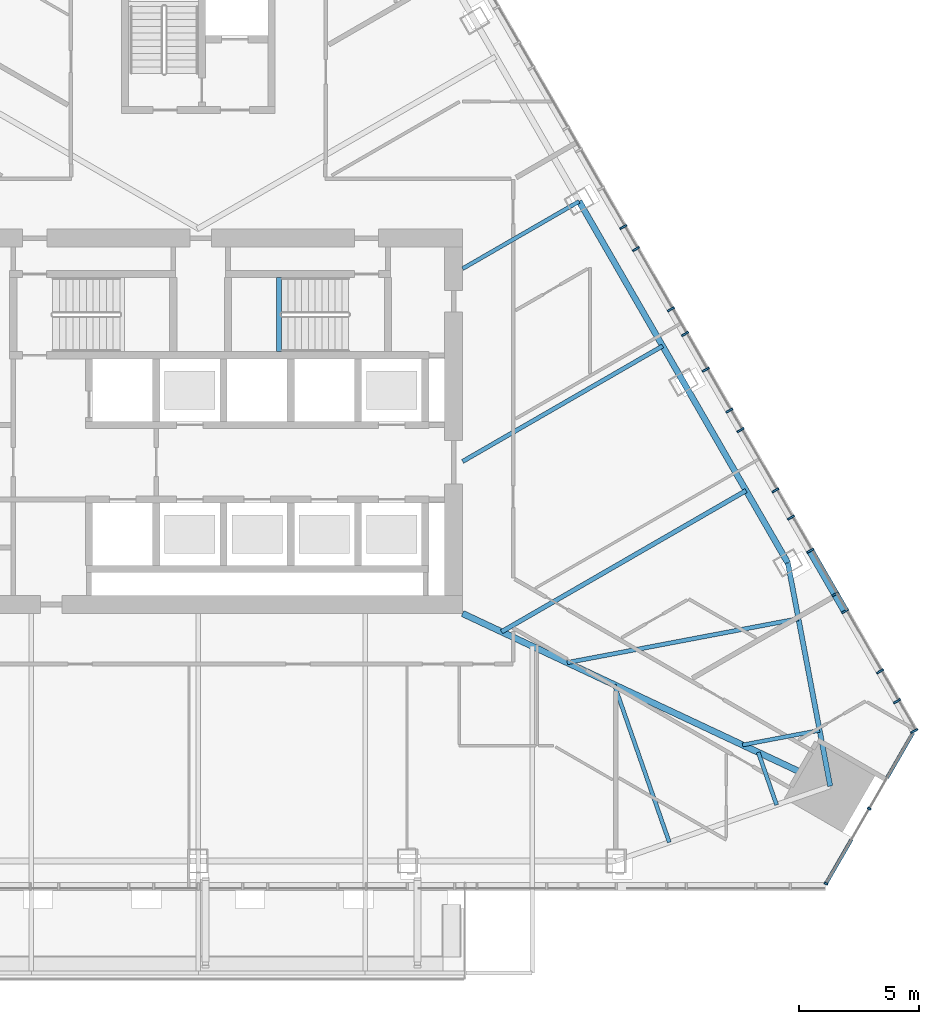
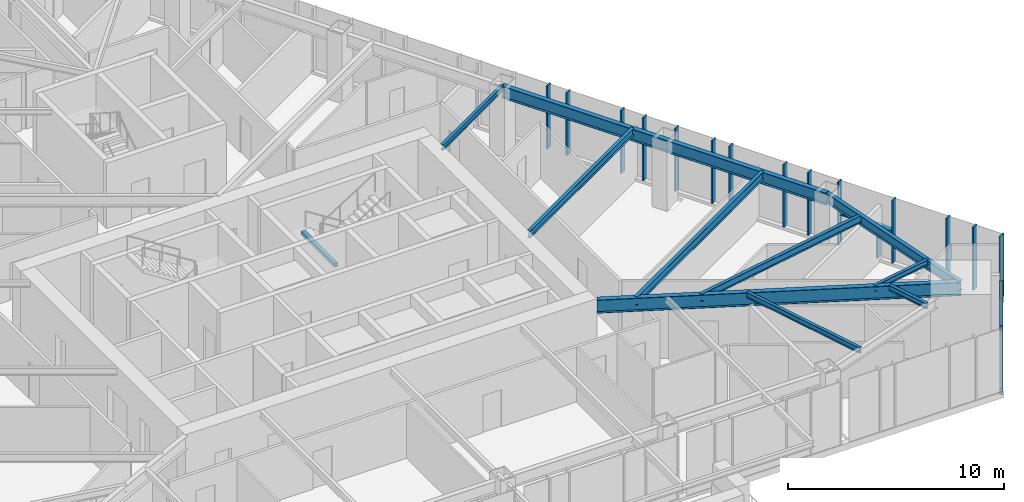
# One storey, part 5 of 23: 20 members, 11 beams, 2 elements without a shape of their own.
"""IFC4 building model written with IfcOpenShell, lengths in metres."""

from ifc_helpers import new_model, si_unit, direction, frame, origin, origin_2d, place, context, subcontext, project, spatial, rectangle, i_section, extrude, material, layer, layer_set, material_profile, profile_set, type_object, element, aggregate, save


model = new_model("IFC4")

# Units and contexts
model_context = context("Model", 3, precision=1e-05, world=origin(), true_north=direction((0.0, 1.0)))
body_context = subcontext(model_context, "Body", "Model", "MODEL_VIEW")
ifc_project = project(units=[si_unit("LENGTHUNIT", "METRE"), si_unit("AREAUNIT", "SQUARE_METRE"), si_unit("VOLUMEUNIT", "CUBIC_METRE"), si_unit("PLANEANGLEUNIT", "RADIAN"), si_unit("MASSUNIT", "GRAM", prefix="KILO")], contexts=[model_context])

# Site, building, storey
site_placement = place(None, origin())
site = spatial("IfcSite", under=ifc_project, at=site_placement, CompositionType="ELEMENT")
building_placement = place(site_placement, origin())
building = spatial("IfcBuilding", under=site, at=building_placement, Name="Firuza Gate Tower and Library", CompositionType="ELEMENT")
storey_placement = place(building_placement, frame((0.0, 0.0, 190.89990234375)))
storey = spatial("IfcBuildingStorey", under=building, at=storey_placement, Name="L44", CompositionType="ELEMENT", Elevation=190.89990234375)

# Curtain wall, members
ifc_material_1 = material(Name="Aluminium 6063-T6", Category="aluminium")
ifc_layer_1 = layer(ifc_material_1, 0.14990234375)
ifc_layer_set_1 = layer_set([ifc_layer_1], Name="Corner curtain wall, chamfers")
curtain_wall_type_1 = type_object("IfcCurtainWallType", Name="Corner curtain wall, chamfers", PredefinedType="NOTDEFINED", material=ifc_layer_set_1)
placement = place(storey_placement, origin())
curtain_wall_1 = element("IfcCurtainWall", 1, at=placement, inside=storey, type_object=curtain_wall_type_1, Name="CW4 L44 SE corner", PredefinedType="NOTDEFINED")
ifc_material_2 = material(Name="Aluminium 6063-T6", Category="aluminium")
ifc_material_profile_1 = material_profile(ifc_material_2, rectangle(XDim=0.14990234375, YDim=0.080078125, at=origin_2d()))
ifc_profile_set_1 = profile_set([ifc_material_profile_1], Name="Aluminium 6063-T6")
member_type_1 = type_object("IfcMemberType", Name="Curtain wall mullion 80x150", PredefinedType="MULLION", material=ifc_profile_set_1)
member_1_placement = place(storey_placement, frame((101.12060546875, 55.758544921875, 0.150146484375), z_axis=(0.0, 0.0, 1.0), x_axis=(-0.866025403784, 0.5, 0.0)))
member_1 = element("IfcMember", 2, at=member_1_placement, type_object=member_type_1, Name="Mullion", PredefinedType="MULLION", context=body_context, shape_type="SweptSolid", body=[
    extrude(rectangle(XDim=0.14990234375, YDim=0.080078125, at=origin_2d()), origin(), (0.0, 0.0, 1.0), 3.550048828125),
])
member_2_placement = place(storey_placement, frame((102.92236328125, 58.879150390625, 0.150146484375), z_axis=(0.0, 0.0, 1.0), x_axis=(-0.866025403784, 0.5, 0.0)))
member_2 = element("IfcMember", 3, at=member_2_placement, type_object=member_type_1, Name="Mullion", PredefinedType="MULLION", context=body_context, shape_type="SweptSolid", body=[
    extrude(rectangle(XDim=0.14990234375, YDim=0.080078125, at=origin_2d()), origin(), (0.0, 0.0, 1.0), 3.550048828125),
])

ifc_material_3 = material(Name="Aluminium 6063-T6", Category="aluminium")
ifc_layer_2 = layer(ifc_material_3, 0.14990234375)
ifc_layer_set_2 = layer_set([ifc_layer_2], Name="Unitised curtain wall, hotel")
curtain_wall_type_2 = type_object("IfcCurtainWallType", Name="Unitised curtain wall, hotel", PredefinedType="NOTDEFINED", material=ifc_layer_set_2)
curtain_wall_2 = element("IfcCurtainWall", 4, at=placement, inside=storey, type_object=curtain_wall_type_2, Name="CW2 L44 E face", PredefinedType="NOTDEFINED")
ifc_material_4 = material(Name="Aluminium 6063-T6", Category="aluminium")
ifc_material_profile_2 = material_profile(ifc_material_4, rectangle(XDim=0.320068359375, YDim=0.080078125, at=origin_2d()))
ifc_profile_set_2 = profile_set([ifc_material_profile_2], Name="Aluminium 6063-T6")
member_type_2 = type_object("IfcMemberType", Name="Curtain wall mullion 80x320", PredefinedType="MULLION", material=ifc_profile_set_2)
member_3_placement = place(storey_placement, frame((104.797607421875, 62.111328125, 0.150146484375), z_axis=(0.0, 0.0, 1.0), x_axis=(-0.866025403784, -0.5, 0.0)))
member_3 = element("IfcMember", 5, at=member_3_placement, type_object=member_type_2, Name="Mullion", PredefinedType="MULLION", context=body_context, shape_type="SweptSolid", body=[
    extrude(rectangle(XDim=0.320068359375, YDim=0.080078125, at=origin_2d()), origin(), (0.0, 0.0, 1.0), 3.550048828125),
])
member_4_placement = place(storey_placement, frame((103.367431640625, 64.58837890625, 0.150146484375), z_axis=(0.0, 0.0, 1.0), x_axis=(-0.866025403784, -0.5, 0.0)))
member_4 = element("IfcMember", 6, at=member_4_placement, type_object=member_type_2, Name="Mullion", PredefinedType="MULLION", context=body_context, shape_type="SweptSolid", body=[
    extrude(rectangle(XDim=0.320068359375, YDim=0.080078125, at=origin_2d()), origin(), (0.0, 0.0, 1.0), 3.550048828125),
])
member_5_placement = place(storey_placement, frame((101.91748046875, 67.099853515625, 0.150146484375), z_axis=(0.0, 0.0, 1.0), x_axis=(-0.866025403784, -0.5, 0.0)))
member_5 = element("IfcMember", 7, at=member_5_placement, type_object=member_type_2, Name="Mullion", PredefinedType="MULLION", context=body_context, shape_type="SweptSolid", body=[
    extrude(rectangle(XDim=0.320068359375, YDim=0.080078125, at=origin_2d()), origin(), (0.0, 0.0, 1.0), 3.550048828125),
])
member_6_placement = place(storey_placement, frame((100.467529296875, 69.611328125, 0.150146484375), z_axis=(0.0, 0.0, 1.0), x_axis=(-0.866025403784, -0.5, 0.0)))
member_6 = element("IfcMember", 8, at=member_6_placement, type_object=member_type_2, Name="Mullion", PredefinedType="MULLION", context=body_context, shape_type="SweptSolid", body=[
    extrude(rectangle(XDim=0.320068359375, YDim=0.080078125, at=origin_2d()), origin(), (0.0, 0.0, 1.0), 3.550048828125),
])
member_7_placement = place(storey_placement, frame((99.017333984375, 72.122802734375, 0.150146484375), z_axis=(0.0, 0.0, 1.0), x_axis=(-0.866025403784, -0.5, 0.0)))
member_7 = element("IfcMember", 9, at=member_7_placement, type_object=member_type_2, Name="Mullion", PredefinedType="MULLION", context=body_context, shape_type="SweptSolid", body=[
    extrude(rectangle(XDim=0.320068359375, YDim=0.080078125, at=origin_2d()), origin(), (0.0, 0.0, 1.0), 3.550048828125),
])
member_8_placement = place(storey_placement, frame((97.5673828125, 74.634521484375, 0.150146484375), z_axis=(0.0, 0.0, 1.0), x_axis=(-0.866025403784, -0.5, 0.0)))
member_8 = element("IfcMember", 10, at=member_8_placement, type_object=member_type_2, Name="Mullion", PredefinedType="MULLION", context=body_context, shape_type="SweptSolid", body=[
    extrude(rectangle(XDim=0.320068359375, YDim=0.080078125, at=origin_2d()), origin(), (0.0, 0.0, 1.0), 3.550048828125),
])
member_9_placement = place(storey_placement, frame((96.117431640625, 77.14599609375, 0.150146484375), z_axis=(0.0, 0.0, 1.0), x_axis=(-0.866025403784, -0.5, 0.0)))
member_9 = element("IfcMember", 11, at=member_9_placement, type_object=member_type_2, Name="Mullion", PredefinedType="MULLION", context=body_context, shape_type="SweptSolid", body=[
    extrude(rectangle(XDim=0.320068359375, YDim=0.080078125, at=origin_2d()), origin(), (0.0, 0.0, 1.0), 3.550048828125),
])
member_10_placement = place(storey_placement, frame((94.667236328125, 79.657470703125, 0.150146484375), z_axis=(0.0, 0.0, 1.0), x_axis=(-0.866025403784, -0.5, 0.0)))
member_10 = element("IfcMember", 12, at=member_10_placement, type_object=member_type_2, Name="Mullion", PredefinedType="MULLION", context=body_context, shape_type="SweptSolid", body=[
    extrude(rectangle(XDim=0.320068359375, YDim=0.080078125, at=origin_2d()), origin(), (0.0, 0.0, 1.0), 3.550048828125),
])
member_11_placement = place(storey_placement, frame((93.21728515625, 82.1689453125, 0.150146484375), z_axis=(0.0, 0.0, 1.0), x_axis=(-0.866025403784, -0.5, 0.0)))
member_11 = element("IfcMember", 13, at=member_11_placement, type_object=member_type_2, Name="Mullion", PredefinedType="MULLION", context=body_context, shape_type="SweptSolid", body=[
    extrude(rectangle(XDim=0.320068359375, YDim=0.080078125, at=origin_2d()), origin(), (0.0, 0.0, 1.0), 3.550048828125),
])
member_12_placement = place(storey_placement, frame((104.0810546875, 63.352294921875, 0.150146484375), z_axis=(0.0, 0.0, 1.0), x_axis=(-0.866025403784, -0.5, 0.0)))
member_12 = element("IfcMember", 14, at=member_12_placement, type_object=member_type_2, Name="Mullion", PredefinedType="MULLION", context=body_context, shape_type="SweptSolid", body=[
    extrude(rectangle(XDim=0.320068359375, YDim=0.080078125, at=origin_2d()), origin(), (0.0, 0.0, 1.0), 3.550048828125),
])
member_13_placement = place(storey_placement, frame((101.512939453125, 67.800537109375, 0.150146484375), z_axis=(0.0, 0.0, 1.0), x_axis=(-0.866025403784, -0.5, 0.0)))
member_13 = element("IfcMember", 15, at=member_13_placement, type_object=member_type_2, Name="Mullion", PredefinedType="MULLION", context=body_context, shape_type="SweptSolid", body=[
    extrude(rectangle(XDim=0.320068359375, YDim=0.080078125, at=origin_2d()), origin(), (0.0, 0.0, 1.0), 1.73486328125),
])
member_14_placement = place(storey_placement, frame((99.669189453125, 70.993896484375, 0.150146484375), z_axis=(0.0, 0.0, 1.0), x_axis=(-0.866025403784, -0.5, 0.0)))
member_14 = element("IfcMember", 16, at=member_14_placement, type_object=member_type_2, Name="Mullion", PredefinedType="MULLION", context=body_context, shape_type="SweptSolid", body=[
    extrude(rectangle(XDim=0.320068359375, YDim=0.080078125, at=origin_2d()), origin(), (0.0, 0.0, 1.0), 3.550048828125),
])
member_15_placement = place(storey_placement, frame((97.10107421875, 75.442138671875, 0.150146484375), z_axis=(0.0, 0.0, 1.0), x_axis=(-0.866025403784, -0.5, 0.0)))
member_15 = element("IfcMember", 17, at=member_15_placement, type_object=member_type_2, Name="Mullion", PredefinedType="MULLION", context=body_context, shape_type="SweptSolid", body=[
    extrude(rectangle(XDim=0.320068359375, YDim=0.080078125, at=origin_2d()), origin(), (0.0, 0.0, 1.0), 3.550048828125),
])
member_16_placement = place(storey_placement, frame((95.25732421875, 78.635498046875, 0.150146484375), z_axis=(0.0, 0.0, 1.0), x_axis=(-0.866025403784, -0.5, 0.0)))
member_16 = element("IfcMember", 18, at=member_16_placement, type_object=member_type_2, Name="Mullion", PredefinedType="MULLION", context=body_context, shape_type="SweptSolid", body=[
    extrude(rectangle(XDim=0.320068359375, YDim=0.080078125, at=origin_2d()), origin(), (0.0, 0.0, 1.0), 3.550048828125),
])
member_17_placement = place(storey_placement, frame((92.689208984375, 83.083984375, 0.150146484375), z_axis=(0.0, 0.0, 1.0), x_axis=(-0.866025403784, -0.5, 0.0)))
member_17 = element("IfcMember", 19, at=member_17_placement, type_object=member_type_2, Name="Mullion", PredefinedType="MULLION", context=body_context, shape_type="SweptSolid", body=[
    extrude(rectangle(XDim=0.320068359375, YDim=0.080078125, at=origin_2d()), origin(), (0.0, 0.0, 1.0), 3.550048828125),
])

# Member
ifc_material_5 = material(Name="Aluminium 6063-T6", Category="aluminium")
ifc_material_profile_3 = material_profile(ifc_material_5, rectangle(XDim=0.14990234375, YDim=0.35009765625, at=origin_2d()))
ifc_profile_set_3 = profile_set([ifc_material_profile_3], Name="Aluminium 6063-T6")
member_type_3 = type_object("IfcMemberType", Name="Curtain wall transom 350x150", PredefinedType="USERDEFINED", material=ifc_profile_set_3)
member_18_placement = place(storey_placement, frame((101.1005859375, 55.723876953125, -0.02490234375), z_axis=(0.500035042182, 0.866005171226, 0.0), x_axis=(-0.866005171226, 0.500035042182, 0.0)))
member_18 = element("IfcMember", 20, at=member_18_placement, type_object=member_type_3, Name="Transom", ObjectType="TRANSOM", PredefinedType="USERDEFINED", context=body_context, shape_type="SweptSolid", body=[
    extrude(rectangle(XDim=0.14990234375, YDim=0.35009765625, at=origin_2d()), origin(), (0.0, 0.0, 1.0), 2.163330078125),
])

member_19_placement = place(storey_placement, frame((103.662353515625, 60.160888671875, -0.02490234375), z_axis=(0.499999270699, 0.866025824846, 0.0), x_axis=(-0.866025824846, 0.499999270699, 0.0)))
member_19 = element("IfcMember", 21, at=member_19_placement, type_object=member_type_3, Name="Transom", ObjectType="TRANSOM", PredefinedType="USERDEFINED", context=body_context, shape_type="SweptSolid", body=[
    extrude(rectangle(XDim=0.14990234375, YDim=0.35009765625, at=origin_2d()), origin(), (0.0, 0.0, 1.0), 2.1630859375),
])

aggregate(curtain_wall_1, [member_1, member_2, member_18, member_19])

ifc_material_6 = material(Name="Aluminium 6063-T6", Category="aluminium")
ifc_material_profile_4 = material_profile(ifc_material_6, rectangle(XDim=0.320068359375, YDim=0.080078125, at=origin_2d()))
ifc_profile_set_4 = profile_set([ifc_material_profile_4], Name="Aluminium 6063-T6")
member_type_4 = type_object("IfcMemberType", Name="Curtain wall transom 80x320", PredefinedType="USERDEFINED", material=ifc_profile_set_4)
member_20_placement = place(storey_placement, frame((101.8974609375, 67.134521484375, 1.925048828125), z_axis=(-0.499984757355, 0.866034203951, 0.0), x_axis=(-0.866034203951, -0.499984757355, 0.0)))
member_20 = element("IfcMember", 22, at=member_20_placement, type_object=member_type_4, Name="Transom", ObjectType="TRANSOM", PredefinedType="USERDEFINED", context=body_context, shape_type="SweptSolid", body=[
    extrude(rectangle(XDim=0.320068359375, YDim=0.080078125, at=origin_2d()), origin(), (0.0, 0.0, 1.0), 2.81982421875),
])

aggregate(curtain_wall_2, [member_3, member_4, member_5, member_6, member_7, member_8, member_9, member_10, member_11, member_12, member_13, member_20, member_14, member_15, member_16, member_17])

# Beams
ifc_material_7 = material(Name="Concrete C35/45", Category="concrete")
ifc_material_profile_5 = material_profile(ifc_material_7, rectangle(XDim=0.199951171875, YDim=0.199951171875, at=origin_2d()))
ifc_profile_set_5 = profile_set([ifc_material_profile_5], Name="Concrete C35/45")
beam_type_1 = type_object("IfcBeamType", Name="Stair landing bearer 200x200", PredefinedType="BEAM", material=ifc_profile_set_5)
beam_1_placement = place(storey_placement, frame((78.360107421875, 80.97998046875, 1.650146484375), z_axis=(0.0, -1.0, 0.0), x_axis=(1.0, 0.0, 0.0)))
element("IfcBeam", 23, at=beam_1_placement, inside=storey, type_object=beam_type_1, Name="Landing bearer L44 stair 2", PredefinedType="BEAM", context=body_context, shape_type="SweptSolid", body=[
    extrude(rectangle(XDim=0.199951171875, YDim=0.199951171875, at=origin_2d()), origin(), (0.0, 0.0, 1.0), 3.080078125),
])
ifc_material_8 = material(Name="Steel S355", Category="steel")
ifc_material_profile_6 = material_profile(ifc_material_8, i_section(OverallWidth=0.1650390625, OverallDepth=0.31005859375, WebThickness=0.005859375, FlangeThickness=0.009765625, at=origin_2d()))
ifc_profile_set_6 = profile_set([ifc_material_profile_6], Name="Steel S355")
beam_type_2 = type_object("IfcBeamType", Name="W310x39 Floor beam", PredefinedType="JOIST", material=ifc_profile_set_6)
beam_2_placement = place(storey_placement, frame((94.603271484375, 57.478271484375, 3.545166015625), z_axis=(-0.329703718894, 0.944084454775, 0.0), x_axis=(-0.944084454775, -0.329703718894, 0.0)))
element("IfcBeam", 24, at=beam_2_placement, inside=storey, type_object=beam_type_2, Name="Floor beam L44 s30", PredefinedType="JOIST", context=body_context, shape_type="SweptSolid", body=[
    extrude(i_section(OverallWidth=0.1650390625, OverallDepth=0.31005859375, WebThickness=0.005859375, FlangeThickness=0.009765625, at=origin_2d()), origin(), (0.0, 0.0, 1.0), 6.94580078125),
])
beam_3_placement = place(storey_placement, frame((99.06689453125, 59.037109375, 3.545166015625), z_axis=(-0.329735047073, 0.944073513415, 0.0), x_axis=(-0.944073513415, -0.329735047073, 0.0)))
element("IfcBeam", 25, at=beam_3_placement, inside=storey, type_object=beam_type_2, Name="Floor beam L44 s31", PredefinedType="JOIST", context=body_context, shape_type="SweptSolid", body=[
    extrude(i_section(OverallWidth=0.1650390625, OverallDepth=0.31005859375, WebThickness=0.005859375, FlangeThickness=0.009765625, at=origin_2d()), origin(), (0.0, 0.0, 1.0), 2.315185546875),
])
beam_4_placement = place(storey_placement, frame((100.857666015625, 62.138916015625, 3.545166015625), z_axis=(-0.98246268216, -0.186459320395, 0.0), x_axis=(0.186459320395, -0.98246268216, 0.0)))
element("IfcBeam", 26, at=beam_4_placement, inside=storey, type_object=beam_type_2, Name="Floor beam L44 s40", PredefinedType="JOIST", context=body_context, shape_type="SweptSolid", body=[
    extrude(i_section(OverallWidth=0.1650390625, OverallDepth=0.31005859375, WebThickness=0.005859375, FlangeThickness=0.009765625, at=origin_2d()), origin(), (0.0, 0.0, 1.0), 3.265625),
])
beam_5_placement = place(storey_placement, frame((90.849365234375, 84.150634765625, 3.545166015625), z_axis=(-0.866023674378, -0.500002995407, 0.0), x_axis=(0.500002995407, -0.866023674378, 0.0)))
element("IfcBeam", 27, at=beam_5_placement, inside=storey, type_object=beam_type_2, Name="Floor beam L44 s52", PredefinedType="JOIST", context=body_context, shape_type="SweptSolid", body=[
    extrude(i_section(OverallWidth=0.1650390625, OverallDepth=0.31005859375, WebThickness=0.005859375, FlangeThickness=0.009765625, at=origin_2d()), origin(), (0.0, 0.0, 1.0), 5.599609375),
])
ifc_material_9 = material(Name="Steel S355", Category="steel")
ifc_material_profile_7 = material_profile(ifc_material_9, i_section(OverallWidth=0.177978515625, OverallDepth=0.406982421875, WebThickness=0.0078125, FlangeThickness=0.0126953125, at=origin_2d()))
ifc_profile_set_7 = profile_set([ifc_material_profile_7], Name="Steel S355")
beam_type_3 = type_object("IfcBeamType", Name="W410x60 Floor beam", PredefinedType="JOIST", material=ifc_profile_set_7)
beam_6_placement = place(storey_placement, frame((99.975830078125, 66.783935546875, 3.49658203125), z_axis=(-0.982452683622, -0.18651199544, 0.0), x_axis=(0.18651199544, -0.982452683622, 0.0)))
element("IfcBeam", 28, at=beam_6_placement, inside=storey, type_object=beam_type_3, Name="Floor beam L44 s41", PredefinedType="JOIST", context=body_context, shape_type="SweptSolid", body=[
    extrude(i_section(OverallWidth=0.177978515625, OverallDepth=0.406982421875, WebThickness=0.0078125, FlangeThickness=0.0126953125, at=origin_2d()), origin(), (0.0, 0.0, 1.0), 9.79638671875),
])
beam_7_placement = place(storey_placement, frame((94.323486328125, 78.1328125, 3.49658203125), z_axis=(-0.866021034044, -0.500007568537, 0.0), x_axis=(0.500007568537, -0.866021034044, 0.0)))
element("IfcBeam", 29, at=beam_7_placement, inside=storey, type_object=beam_type_3, Name="Floor beam L44 s51", PredefinedType="JOIST", context=body_context, shape_type="SweptSolid", body=[
    extrude(i_section(OverallWidth=0.177978515625, OverallDepth=0.406982421875, WebThickness=0.0078125, FlangeThickness=0.0126953125, at=origin_2d()), origin(), (0.0, 0.0, 1.0), 9.611083984375),
])
ifc_material_10 = material(Name="Steel S355", Category="steel")
ifc_material_profile_8 = material_profile(ifc_material_10, i_section(OverallWidth=0.18994140625, OverallDepth=0.45703125, WebThickness=0.009033203125, FlangeThickness=0.014404296875, at=origin_2d()))
ifc_profile_set_8 = profile_set([ifc_material_profile_8], Name="Steel S355")
beam_type_4 = type_object("IfcBeamType", Name="W460x74 Floor beam", PredefinedType="JOIST", material=ifc_profile_set_8)
beam_8_placement = place(storey_placement, frame((97.7978515625, 72.115234375, 3.4716796875), z_axis=(-0.866025409827, -0.499999989534, 0.0), x_axis=(0.499999989534, -0.866025409827, 0.0)))
element("IfcBeam", 30, at=beam_8_placement, inside=storey, type_object=beam_type_4, Name="Floor beam L44 s50", PredefinedType="JOIST", context=body_context, shape_type="SweptSolid", body=[
    extrude(i_section(OverallWidth=0.18994140625, OverallDepth=0.45703125, WebThickness=0.009033203125, FlangeThickness=0.014404296875, at=origin_2d()), origin(), (0.0, 0.0, 1.0), 11.751953125),
])
ifc_material_11 = material(Name="Steel S355", Category="steel")
ifc_material_profile_9 = material_profile(ifc_material_11, i_section(OverallWidth=0.212890625, OverallDepth=0.5390625, WebThickness=0.01171875, FlangeThickness=0.018798828125, at=origin_2d()))
ifc_profile_set_9 = profile_set([ifc_material_profile_9], Name="Steel S355")
beam_type_5 = type_object("IfcBeamType", Name="W530x109 Edge beam", PredefinedType="SPANDREL", material=ifc_profile_set_9)
beam_9_placement = place(storey_placement, frame((101.298583984375, 59.816650390625, 3.4306640625), z_axis=(-0.186493929344, 0.982456113176, 0.0), x_axis=(-0.982456113176, -0.186493929344, 0.0)))
element("IfcBeam", 31, at=beam_9_placement, inside=storey, type_object=beam_type_5, Name="Edge beam L44 e40", PredefinedType="SPANDREL", context=body_context, shape_type="SweptSolid", body=[
    extrude(i_section(OverallWidth=0.212890625, OverallDepth=0.5390625, WebThickness=0.01171875, FlangeThickness=0.018798828125, at=origin_2d()), origin(), (0.0, 0.0, 1.0), 9.45556640625),
])
ifc_material_12 = material(Name="Steel S355", Category="steel")
ifc_material_profile_10 = material_profile(ifc_material_12, i_section(OverallWidth=0.2529296875, OverallDepth=0.677978515625, WebThickness=0.01171875, FlangeThickness=0.016357421875, at=origin_2d()))
ifc_profile_set_10 = profile_set([ifc_material_profile_10], Name="Steel S355")
beam_type_6 = type_object("IfcBeamType", Name="W690x125 Edge beam", PredefinedType="SPANDREL", material=ifc_profile_set_10)
beam_10_placement = place(storey_placement, frame((99.53515625, 69.1064453125, 3.361083984375), z_axis=(-0.500001044169, 0.866024800932, 0.0), x_axis=(-0.866024800932, -0.500001044169, 0.0)))
element("IfcBeam", 32, at=beam_10_placement, inside=storey, type_object=beam_type_6, Name="Edge beam L44 e50", PredefinedType="SPANDREL", context=body_context, shape_type="SweptSolid", body=[
    extrude(i_section(OverallWidth=0.2529296875, OverallDepth=0.677978515625, WebThickness=0.01171875, FlangeThickness=0.016357421875, at=origin_2d()), origin(), (0.0, 0.0, 1.0), 17.37158203125),
])
ifc_material_13 = material(Name="Steel S355", Category="steel")
ifc_material_profile_11 = material_profile(ifc_material_13, i_section(OverallWidth=0.264892578125, OverallDepth=0.7529296875, WebThickness=0.01318359375, FlangeThickness=0.01708984375, at=origin_2d()))
ifc_profile_set_11 = profile_set([ifc_material_profile_11], Name="Steel S355")
beam_type_7 = type_object("IfcBeamType", Name="W760x147 Girder", PredefinedType="BEAM", material=ifc_profile_set_11)
beam_11_placement = place(storey_placement, frame((101.298583984375, 59.816650390625, 3.323486328125), z_axis=(-0.905182734973, 0.425022606819, 0.0), x_axis=(-0.425022606819, -0.905182734973, 0.0)))
element("IfcBeam", 33, at=beam_11_placement, inside=storey, type_object=beam_type_7, Name="Girder L44 gSE", PredefinedType="BEAM", context=body_context, shape_type="SweptSolid", body=[
    extrude(i_section(OverallWidth=0.264892578125, OverallDepth=0.7529296875, WebThickness=0.01318359375, FlangeThickness=0.01708984375, at=origin_2d()), origin(), (0.0, 0.0, 1.0), 16.901123046875),
])

save(model, "model.ifc")
